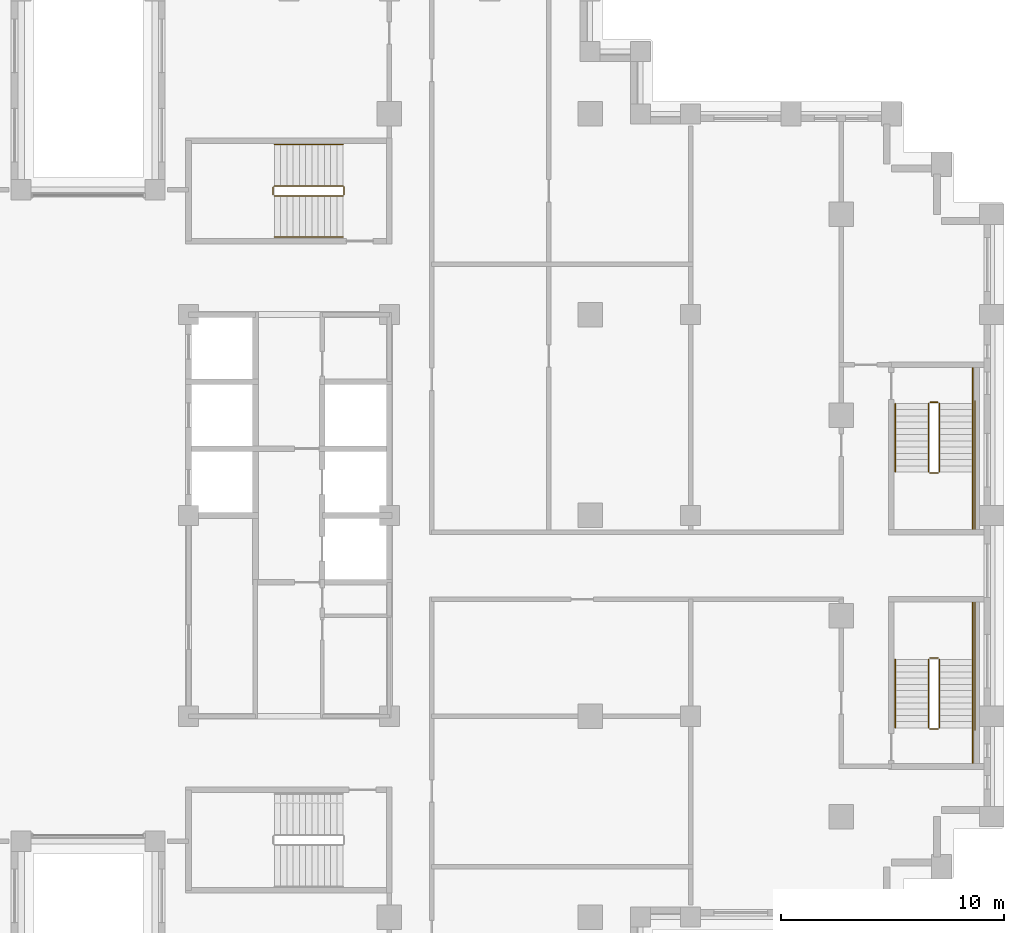
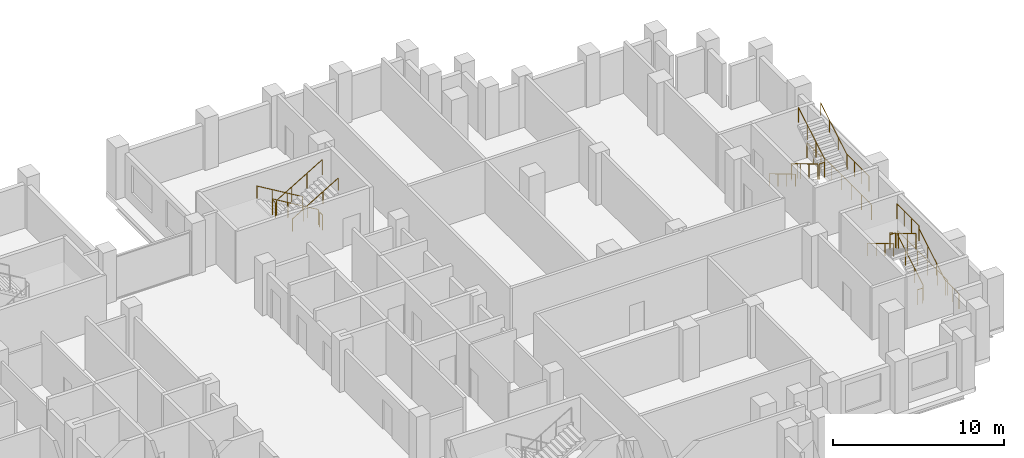
# One storey, part 15 of 15: 3 railings.
"""IFC4 building model written with IfcOpenShell, lengths in metres."""

from ifc_helpers import new_model, si_unit, direction, frame, origin, origin_2d, place, context, subcontext, project, spatial, circle, extrude, material, type_object, element, save


model = new_model("IFC4")

# Units and contexts
model_context = context("Model", 3, precision=1e-05, world=origin(), true_north=direction((0.0, 1.0)))
body_context = subcontext(model_context, "Body", "Model", "MODEL_VIEW")
ifc_project = project(units=[si_unit("LENGTHUNIT", "METRE"), si_unit("AREAUNIT", "SQUARE_METRE"), si_unit("VOLUMEUNIT", "CUBIC_METRE"), si_unit("PLANEANGLEUNIT", "RADIAN"), si_unit("MASSUNIT", "GRAM", prefix="KILO")], contexts=[model_context])

# Site, building, storey
site_placement = place(None, origin())
site = spatial("IfcSite", under=ifc_project, at=site_placement, CompositionType="ELEMENT")
building_placement = place(site_placement, origin())
building = spatial("IfcBuilding", under=site, at=building_placement, Name="Corbelhall Arena Tower", CompositionType="ELEMENT")
storey_placement = place(building_placement, frame((0.0, 0.0, 162.0)))
storey = spatial("IfcBuildingStorey", under=building, at=storey_placement, Name="L32", CompositionType="ELEMENT", Elevation=162.0)

# Railings
ifc_material = material(Name="Steel ASTM A500 Gr C", Category="steel")
railing_type = type_object("IfcRailingType", Name="IN-GD-1100", PredefinedType="GUARDRAIL", material=ifc_material)
railing_1_placement = place(storey_placement, frame((11.425048828125, 14.77490234375, 0.166748046875)))
element("IfcRailing", 1, at=railing_1_placement, inside=storey, type_object=railing_type, Name="L32 ST3 stair guards and handrails", PredefinedType="GUARDRAIL", context=body_context, shape_type="SweptSolid", body=[
    extrude(circle(Radius=0.02392578125, at=origin_2d()), frame((0.0, 0.0, 1.076171875), z_axis=(-0.859308565015, 0.0, 0.511457515432), x_axis=(0.0, -1.0, 0.0)), (0.0, 0.0, 1.0), 3.58447265625),
    extrude(circle(Radius=0.02392578125, at=origin_2d()), frame((-3.130126953125, -0.0498046875, 2.9091796875), z_axis=(0.0, -1.0, 0.0), x_axis=(1.0, 0.0, 0.0)), (0.0, 0.0, 1.0), 0.35009765625),
    extrude(circle(Radius=0.02392578125, at=origin_2d()), frame((-3.080078125, -0.449951171875, 3.076171875), z_axis=(0.859308565015, 0.0, 0.511457515432), x_axis=(0.0, 1.0, 0.0)), (0.0, 0.0, 1.0), 3.58447265625),
    extrude(circle(Radius=0.02392578125, at=origin_2d()), frame((0.050048828125, -0.0498046875, 0.9091796875), z_axis=(0.0, -1.0, 0.0), x_axis=(1.0, 0.0, 0.0)), (0.0, 0.0, 1.0), 0.35009765625),
    extrude(circle(Radius=0.02392578125, at=origin_2d()), frame((0.0, 1.85009765625, 0.8759765625), z_axis=(-0.859308565015, 0.0, 0.511457515432), x_axis=(0.0, -1.0, 0.0)), (0.0, 0.0, 1.0), 3.58447265625),
    extrude(circle(Radius=0.02392578125, at=origin_2d()), frame((-3.080078125, -2.2998046875, 2.8759765625), z_axis=(0.859308565015, 0.0, 0.511457515432), x_axis=(0.0, 1.0, 0.0)), (0.0, 0.0, 1.0), 3.58447265625),
    extrude(circle(Radius=0.02099609375, at=origin_2d()), origin(), (0.0, 0.0, 1.0), 1.052001953125),
    extrude(circle(Radius=0.02099609375, at=origin_2d()), frame((-1.026611328125, 0.0, 0.611083984375)), (0.0, 0.0, 1.0), 1.052001953125),
    extrude(circle(Radius=0.02099609375, at=origin_2d()), frame((-2.053466796875, 0.0, 1.22216796875)), (0.0, 0.0, 1.0), 1.052001953125),
    extrude(circle(Radius=0.02099609375, at=origin_2d()), frame((-3.080078125, 0.0, 1.833251953125)), (0.0, 0.0, 1.0), 1.052001953125),
    extrude(circle(Radius=0.02099609375, at=origin_2d()), frame((-3.130126953125, -0.0498046875, 1.833251953125)), (0.0, 0.0, 1.0), 1.052001953125),
    extrude(circle(Radius=0.02099609375, at=origin_2d()), frame((-3.130126953125, -0.39990234375, 1.833251953125)), (0.0, 0.0, 1.0), 1.052001953125),
    extrude(circle(Radius=0.02099609375, at=origin_2d()), frame((-3.080078125, -0.449951171875, 2.0)), (0.0, 0.0, 1.0), 1.052001953125),
    extrude(circle(Radius=0.02099609375, at=origin_2d()), frame((-2.053466796875, -0.449951171875, 2.611083984375)), (0.0, 0.0, 1.0), 1.052001953125),
    extrude(circle(Radius=0.02099609375, at=origin_2d()), frame((-1.026611328125, -0.449951171875, 3.22216796875)), (0.0, 0.0, 1.0), 1.052001953125),
    extrude(circle(Radius=0.02099609375, at=origin_2d()), frame((0.0, -0.449951171875, 3.833251953125)), (0.0, 0.0, 1.0), 1.052001953125),
    extrude(circle(Radius=0.02099609375, at=origin_2d()), frame((0.050048828125, -0.0498046875, -0.166748046875)), (0.0, 0.0, 1.0), 1.052001953125),
    extrude(circle(Radius=0.02099609375, at=origin_2d()), frame((0.050048828125, -0.39990234375, -0.166748046875)), (0.0, 0.0, 1.0), 1.052001953125),
    extrude(circle(Radius=0.02099609375, at=origin_2d()), frame((0.0, 1.85009765625, 0.0)), (0.0, 0.0, 1.0), 0.851806640625),
    extrude(circle(Radius=0.02099609375, at=origin_2d()), frame((-1.026611328125, 1.85009765625, 0.611083984375)), (0.0, 0.0, 1.0), 0.851806640625),
    extrude(circle(Radius=0.02099609375, at=origin_2d()), frame((-2.053466796875, 1.85009765625, 1.22216796875)), (0.0, 0.0, 1.0), 0.851806640625),
    extrude(circle(Radius=0.02099609375, at=origin_2d()), frame((-3.080078125, 1.85009765625, 1.833251953125)), (0.0, 0.0, 1.0), 0.851806640625),
    extrude(circle(Radius=0.02099609375, at=origin_2d()), frame((-3.080078125, -2.2998046875, 2.0)), (0.0, 0.0, 1.0), 0.851806640625),
    extrude(circle(Radius=0.02099609375, at=origin_2d()), frame((-2.053466796875, -2.2998046875, 2.611083984375)), (0.0, 0.0, 1.0), 0.851806640625),
    extrude(circle(Radius=0.02099609375, at=origin_2d()), frame((-1.026611328125, -2.2998046875, 3.22216796875)), (0.0, 0.0, 1.0), 0.851806640625),
    extrude(circle(Radius=0.02099609375, at=origin_2d()), frame((0.0, -2.2998046875, 3.833251953125)), (0.0, 0.0, 1.0), 0.851806640625),
])
railing_2_placement = place(storey_placement, frame((38.14990234375, -9.52490234375, 0.166748046875)))
element("IfcRailing", 2, at=railing_2_placement, inside=storey, type_object=railing_type, Name="L32 SD1 stair guards and handrails", PredefinedType="GUARDRAIL", context=body_context, shape_type="SweptSolid", body=[
    extrude(circle(Radius=0.02392578125, at=origin_2d()), frame((0.0, 0.0, 1.076171875), z_axis=(0.0, 0.859290745958, 0.51148745235), x_axis=(-1.0, 0.0, 0.0)), (0.0, 0.0, 1.0), 3.584228515625),
    extrude(circle(Radius=0.02392578125, at=origin_2d()), frame((-0.0498046875, 3.1298828125, 2.9091796875), z_axis=(-1.0, 0.0, 0.0), x_axis=(0.0, -1.0, 0.0)), (0.0, 0.0, 1.0), 0.375),
    extrude(circle(Radius=0.02392578125, at=origin_2d()), frame((1.5, 3.079833984375, 2.9091796875), z_axis=(0.0, 1.0, 0.0), x_axis=(-1.0, 0.0, 0.0)), (0.0, 0.0, 1.0), 2.570068359375),
    extrude(circle(Radius=0.02392578125, at=origin_2d()), frame((-0.474853515625, 3.079833984375, 3.076171875), z_axis=(0.0, -0.859290745958, 0.51148745235), x_axis=(1.0, 0.0, 0.0)), (0.0, 0.0, 1.0), 3.584228515625),
    extrude(circle(Radius=0.02392578125, at=origin_2d()), frame((-0.0498046875, -0.050048828125, 0.9091796875), z_axis=(-1.0, 0.0, 0.0), x_axis=(0.0, -1.0, 0.0)), (0.0, 0.0, 1.0), 0.375),
    extrude(circle(Radius=0.02392578125, at=origin_2d()), frame((1.5, -1.60009765625, 0.9091796875), z_axis=(0.0, 1.0, 0.0), x_axis=(-1.0, 0.0, 0.0)), (0.0, 0.0, 1.0), 1.60009765625),
    extrude(circle(Radius=0.02392578125, at=origin_2d()), frame((1.60009765625, -0.10009765625, 0.9091796875), z_axis=(0.0, 1.0, 0.0), x_axis=(-1.0, 0.0, 0.0)), (0.0, 0.0, 1.0), 5.85009765625),
    extrude(circle(Radius=0.02392578125, at=origin_2d()), frame((1.5, 0.0, 0.8759765625), z_axis=(0.0, 0.859290745958, 0.51148745235), x_axis=(-1.0, 0.0, 0.0)), (0.0, 0.0, 1.0), 3.584228515625),
    extrude(circle(Radius=0.02392578125, at=origin_2d()), frame((-1.974853515625, 3.079833984375, 2.8759765625), z_axis=(0.0, -0.859290745958, 0.51148745235), x_axis=(1.0, 0.0, 0.0)), (0.0, 0.0, 1.0), 3.584228515625),
    extrude(circle(Radius=0.02099609375, at=origin_2d()), origin(), (0.0, 0.0, 1.0), 1.052001953125),
    extrude(circle(Radius=0.02099609375, at=origin_2d()), frame((0.0, 1.026611328125, 0.611083984375)), (0.0, 0.0, 1.0), 1.052001953125),
    extrude(circle(Radius=0.02099609375, at=origin_2d()), frame((0.0, 2.05322265625, 1.22216796875)), (0.0, 0.0, 1.0), 1.052001953125),
    extrude(circle(Radius=0.02099609375, at=origin_2d()), frame((0.0, 3.079833984375, 1.833251953125)), (0.0, 0.0, 1.0), 1.052001953125),
    extrude(circle(Radius=0.02099609375, at=origin_2d()), frame((-0.0498046875, 3.1298828125, 1.833251953125)), (0.0, 0.0, 1.0), 1.052001953125),
    extrude(circle(Radius=0.02099609375, at=origin_2d()), frame((-0.4248046875, 3.1298828125, 1.833251953125)), (0.0, 0.0, 1.0), 1.052001953125),
    extrude(circle(Radius=0.02099609375, at=origin_2d()), frame((1.5, 3.079833984375, 1.833251953125)), (0.0, 0.0, 1.0), 1.052001953125),
    extrude(circle(Radius=0.02099609375, at=origin_2d()), frame((1.5, 3.9365234375, 1.833251953125)), (0.0, 0.0, 1.0), 1.052001953125),
    extrude(circle(Radius=0.02099609375, at=origin_2d()), frame((1.5, 4.793212890625, 1.833251953125)), (0.0, 0.0, 1.0), 1.052001953125),
    extrude(circle(Radius=0.02099609375, at=origin_2d()), frame((1.5, 5.64990234375, 1.833251953125)), (0.0, 0.0, 1.0), 1.052001953125),
    extrude(circle(Radius=0.02099609375, at=origin_2d()), frame((-0.474853515625, 3.079833984375, 2.0)), (0.0, 0.0, 1.0), 1.052001953125),
    extrude(circle(Radius=0.02099609375, at=origin_2d()), frame((-0.474853515625, 2.05322265625, 2.611083984375)), (0.0, 0.0, 1.0), 1.052001953125),
    extrude(circle(Radius=0.02099609375, at=origin_2d()), frame((-0.474853515625, 1.026611328125, 3.22216796875)), (0.0, 0.0, 1.0), 1.052001953125),
    extrude(circle(Radius=0.02099609375, at=origin_2d()), frame((-0.474853515625, 0.0, 3.833251953125)), (0.0, 0.0, 1.0), 1.052001953125),
    extrude(circle(Radius=0.02099609375, at=origin_2d()), frame((-0.0498046875, -0.050048828125, -0.166748046875)), (0.0, 0.0, 1.0), 1.052001953125),
    extrude(circle(Radius=0.02099609375, at=origin_2d()), frame((-0.4248046875, -0.050048828125, -0.166748046875)), (0.0, 0.0, 1.0), 1.052001953125),
    extrude(circle(Radius=0.02099609375, at=origin_2d()), frame((1.5, -1.60009765625, -0.166748046875)), (0.0, 0.0, 1.0), 1.052001953125),
    extrude(circle(Radius=0.02099609375, at=origin_2d()), frame((1.5, -0.800048828125, -0.166748046875)), (0.0, 0.0, 1.0), 1.052001953125),
    extrude(circle(Radius=0.02099609375, at=origin_2d()), frame((1.5, 0.0, -0.166748046875)), (0.0, 0.0, 1.0), 1.052001953125),
    extrude(circle(Radius=0.02099609375, at=origin_2d()), frame((1.60009765625, -0.10009765625, -0.166748046875)), (0.0, 0.0, 1.0), 1.052001953125),
    extrude(circle(Radius=0.02099609375, at=origin_2d()), frame((1.60009765625, 1.06982421875, -0.166748046875)), (0.0, 0.0, 1.0), 1.052001953125),
    extrude(circle(Radius=0.02099609375, at=origin_2d()), frame((1.60009765625, 2.239990234375, -0.166748046875)), (0.0, 0.0, 1.0), 1.052001953125),
    extrude(circle(Radius=0.02099609375, at=origin_2d()), frame((1.60009765625, 3.409912109375, -0.166748046875)), (0.0, 0.0, 1.0), 1.052001953125),
    extrude(circle(Radius=0.02099609375, at=origin_2d()), frame((1.60009765625, 4.580078125, -0.166748046875)), (0.0, 0.0, 1.0), 1.052001953125),
    extrude(circle(Radius=0.02099609375, at=origin_2d()), frame((1.60009765625, 5.75, -0.166748046875)), (0.0, 0.0, 1.0), 1.052001953125),
    extrude(circle(Radius=0.02099609375, at=origin_2d()), frame((1.5, 0.0, 0.0)), (0.0, 0.0, 1.0), 0.851806640625),
    extrude(circle(Radius=0.02099609375, at=origin_2d()), frame((1.5, 1.026611328125, 0.611083984375)), (0.0, 0.0, 1.0), 0.851806640625),
    extrude(circle(Radius=0.02099609375, at=origin_2d()), frame((1.5, 2.05322265625, 1.22216796875)), (0.0, 0.0, 1.0), 0.851806640625),
    extrude(circle(Radius=0.02099609375, at=origin_2d()), frame((-1.974853515625, 3.079833984375, 2.0)), (0.0, 0.0, 1.0), 0.851806640625),
    extrude(circle(Radius=0.02099609375, at=origin_2d()), frame((-1.974853515625, 2.05322265625, 2.611083984375)), (0.0, 0.0, 1.0), 0.851806640625),
    extrude(circle(Radius=0.02099609375, at=origin_2d()), frame((-1.974853515625, 1.026611328125, 3.22216796875)), (0.0, 0.0, 1.0), 0.851806640625),
    extrude(circle(Radius=0.02099609375, at=origin_2d()), frame((-1.974853515625, 0.0, 3.833251953125)), (0.0, 0.0, 1.0), 0.851806640625),
])
railing_3_placement = place(storey_placement, frame((37.675048828125, 5.02490234375, 0.166748046875)))
element("IfcRailing", 3, at=railing_3_placement, inside=storey, type_object=railing_type, Name="L32 SD2 stair guards and handrails", PredefinedType="GUARDRAIL", context=body_context, shape_type="SweptSolid", body=[
    extrude(circle(Radius=0.02392578125, at=origin_2d()), frame((0.0, 0.0, 1.076171875), z_axis=(0.0, -0.859290745958, 0.51148745235), x_axis=(1.0, 0.0, 0.0)), (0.0, 0.0, 1.0), 3.584228515625),
    extrude(circle(Radius=0.02392578125, at=origin_2d()), frame((0.050048828125, -3.1298828125, 2.9091796875), z_axis=(1.0, 0.0, 0.0), x_axis=(0.0, 1.0, 0.0)), (0.0, 0.0, 1.0), 0.375),
    extrude(circle(Radius=0.02392578125, at=origin_2d()), frame((1.974853515625, -3.079833984375, 2.9091796875), z_axis=(0.0, -1.0, 0.0), x_axis=(1.0, 0.0, 0.0)), (0.0, 0.0, 1.0), 2.570068359375),
    extrude(circle(Radius=0.02392578125, at=origin_2d()), frame((0.474853515625, -3.079833984375, 3.076171875), z_axis=(0.0, 0.859290745958, 0.51148745235), x_axis=(-1.0, 0.0, 0.0)), (0.0, 0.0, 1.0), 3.584228515625),
    extrude(circle(Radius=0.02392578125, at=origin_2d()), frame((0.050048828125, 0.050048828125, 0.9091796875), z_axis=(1.0, 0.0, 0.0), x_axis=(0.0, 1.0, 0.0)), (0.0, 0.0, 1.0), 0.375),
    extrude(circle(Radius=0.02392578125, at=origin_2d()), frame((1.974853515625, 1.60009765625, 0.9091796875), z_axis=(0.0, -1.0, 0.0), x_axis=(1.0, 0.0, 0.0)), (0.0, 0.0, 1.0), 1.60009765625),
    extrude(circle(Radius=0.02392578125, at=origin_2d()), frame((2.074951171875, 0.10009765625, 0.9091796875), z_axis=(0.0, -1.0, 0.0), x_axis=(1.0, 0.0, 0.0)), (0.0, 0.0, 1.0), 5.85009765625),
    extrude(circle(Radius=0.02392578125, at=origin_2d()), frame((-1.5, 0.0, 0.8759765625), z_axis=(0.0, -0.859290745958, 0.51148745235), x_axis=(1.0, 0.0, 0.0)), (0.0, 0.0, 1.0), 3.584228515625),
    extrude(circle(Radius=0.02392578125, at=origin_2d()), frame((1.974853515625, -3.079833984375, 2.8759765625), z_axis=(0.0, 0.859290745958, 0.51148745235), x_axis=(-1.0, 0.0, 0.0)), (0.0, 0.0, 1.0), 3.584228515625),
    extrude(circle(Radius=0.02099609375, at=origin_2d()), origin(), (0.0, 0.0, 1.0), 1.052001953125),
    extrude(circle(Radius=0.02099609375, at=origin_2d()), frame((0.0, -1.026611328125, 0.611083984375)), (0.0, 0.0, 1.0), 1.052001953125),
    extrude(circle(Radius=0.02099609375, at=origin_2d()), frame((0.0, -2.05322265625, 1.22216796875)), (0.0, 0.0, 1.0), 1.052001953125),
    extrude(circle(Radius=0.02099609375, at=origin_2d()), frame((0.0, -3.079833984375, 1.833251953125)), (0.0, 0.0, 1.0), 1.052001953125),
    extrude(circle(Radius=0.02099609375, at=origin_2d()), frame((0.050048828125, -3.1298828125, 1.833251953125)), (0.0, 0.0, 1.0), 1.052001953125),
    extrude(circle(Radius=0.02099609375, at=origin_2d()), frame((0.425048828125, -3.1298828125, 1.833251953125)), (0.0, 0.0, 1.0), 1.052001953125),
    extrude(circle(Radius=0.02099609375, at=origin_2d()), frame((1.974853515625, -3.079833984375, 1.833251953125)), (0.0, 0.0, 1.0), 1.052001953125),
    extrude(circle(Radius=0.02099609375, at=origin_2d()), frame((1.974853515625, -3.9365234375, 1.833251953125)), (0.0, 0.0, 1.0), 1.052001953125),
    extrude(circle(Radius=0.02099609375, at=origin_2d()), frame((1.974853515625, -4.793212890625, 1.833251953125)), (0.0, 0.0, 1.0), 1.052001953125),
    extrude(circle(Radius=0.02099609375, at=origin_2d()), frame((1.974853515625, -5.64990234375, 1.833251953125)), (0.0, 0.0, 1.0), 1.052001953125),
    extrude(circle(Radius=0.02099609375, at=origin_2d()), frame((0.474853515625, -3.079833984375, 2.0)), (0.0, 0.0, 1.0), 1.052001953125),
    extrude(circle(Radius=0.02099609375, at=origin_2d()), frame((0.474853515625, -2.05322265625, 2.611083984375)), (0.0, 0.0, 1.0), 1.052001953125),
    extrude(circle(Radius=0.02099609375, at=origin_2d()), frame((0.474853515625, -1.026611328125, 3.22216796875)), (0.0, 0.0, 1.0), 1.052001953125),
    extrude(circle(Radius=0.02099609375, at=origin_2d()), frame((0.474853515625, 0.0, 3.833251953125)), (0.0, 0.0, 1.0), 1.052001953125),
    extrude(circle(Radius=0.02099609375, at=origin_2d()), frame((0.050048828125, 0.050048828125, -0.166748046875)), (0.0, 0.0, 1.0), 1.052001953125),
    extrude(circle(Radius=0.02099609375, at=origin_2d()), frame((0.425048828125, 0.050048828125, -0.166748046875)), (0.0, 0.0, 1.0), 1.052001953125),
    extrude(circle(Radius=0.02099609375, at=origin_2d()), frame((1.974853515625, 1.60009765625, -0.166748046875)), (0.0, 0.0, 1.0), 1.052001953125),
    extrude(circle(Radius=0.02099609375, at=origin_2d()), frame((1.974853515625, 0.800048828125, -0.166748046875)), (0.0, 0.0, 1.0), 1.052001953125),
    extrude(circle(Radius=0.02099609375, at=origin_2d()), frame((1.974853515625, 0.0, -0.166748046875)), (0.0, 0.0, 1.0), 1.052001953125),
    extrude(circle(Radius=0.02099609375, at=origin_2d()), frame((2.074951171875, 0.10009765625, -0.166748046875)), (0.0, 0.0, 1.0), 1.052001953125),
    extrude(circle(Radius=0.02099609375, at=origin_2d()), frame((2.074951171875, -1.06982421875, -0.166748046875)), (0.0, 0.0, 1.0), 1.052001953125),
    extrude(circle(Radius=0.02099609375, at=origin_2d()), frame((2.074951171875, -2.239990234375, -0.166748046875)), (0.0, 0.0, 1.0), 1.052001953125),
    extrude(circle(Radius=0.02099609375, at=origin_2d()), frame((2.074951171875, -3.409912109375, -0.166748046875)), (0.0, 0.0, 1.0), 1.052001953125),
    extrude(circle(Radius=0.02099609375, at=origin_2d()), frame((2.074951171875, -4.580078125, -0.166748046875)), (0.0, 0.0, 1.0), 1.052001953125),
    extrude(circle(Radius=0.02099609375, at=origin_2d()), frame((2.074951171875, -5.75, -0.166748046875)), (0.0, 0.0, 1.0), 1.052001953125),
    extrude(circle(Radius=0.02099609375, at=origin_2d()), frame((-1.5, 0.0, 0.0)), (0.0, 0.0, 1.0), 0.851806640625),
    extrude(circle(Radius=0.02099609375, at=origin_2d()), frame((-1.5, -1.026611328125, 0.611083984375)), (0.0, 0.0, 1.0), 0.851806640625),
    extrude(circle(Radius=0.02099609375, at=origin_2d()), frame((-1.5, -2.05322265625, 1.22216796875)), (0.0, 0.0, 1.0), 0.851806640625),
    extrude(circle(Radius=0.02099609375, at=origin_2d()), frame((-1.5, -3.079833984375, 1.833251953125)), (0.0, 0.0, 1.0), 0.851806640625),
    extrude(circle(Radius=0.02099609375, at=origin_2d()), frame((1.974853515625, -3.079833984375, 2.0)), (0.0, 0.0, 1.0), 0.851806640625),
    extrude(circle(Radius=0.02099609375, at=origin_2d()), frame((1.974853515625, -2.05322265625, 2.611083984375)), (0.0, 0.0, 1.0), 0.851806640625),
    extrude(circle(Radius=0.02099609375, at=origin_2d()), frame((1.974853515625, -1.026611328125, 3.22216796875)), (0.0, 0.0, 1.0), 0.851806640625),
    extrude(circle(Radius=0.02099609375, at=origin_2d()), frame((1.974853515625, 0.0, 3.833251953125)), (0.0, 0.0, 1.0), 0.851806640625),
])

save(model, "model.ifc")
